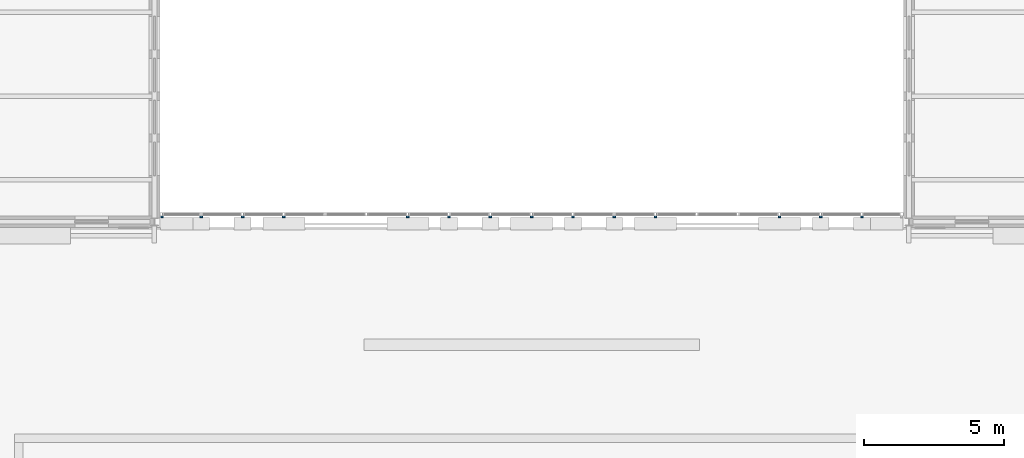
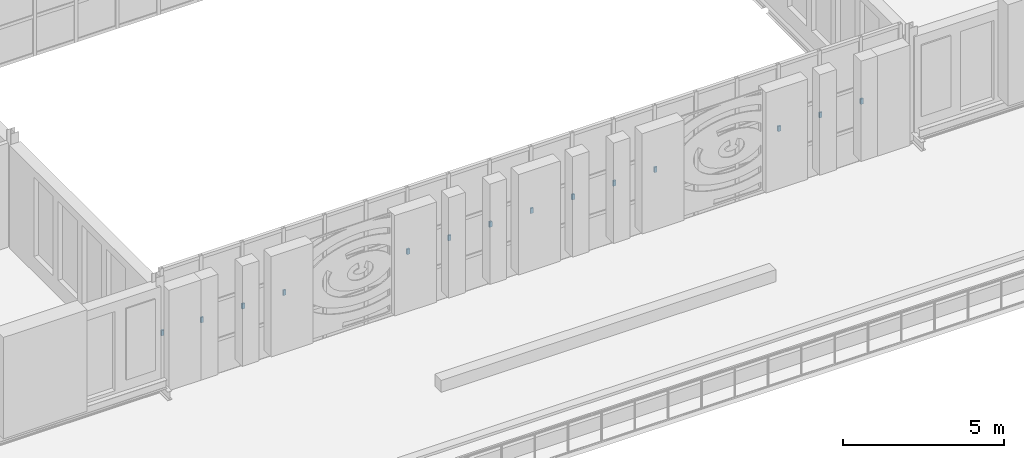
# One storey, part 101 of 134: 14 discrete accessories.
"""IFC4 building model written with IfcOpenShell, lengths in metres."""

from ifc_helpers import new_model, si_unit, direction, frame, origin, origin_2d, place, context, subcontext, project, spatial, rectangle, extrude, material, type_object, element, save


model = new_model("IFC4")

# Units and contexts
model_context = context("Model", 3, precision=1e-05, world=origin(), true_north=direction((0.0, 1.0)))
body_context = subcontext(model_context, "Body", "Model", "MODEL_VIEW")
ifc_project = project(units=[si_unit("LENGTHUNIT", "METRE"), si_unit("AREAUNIT", "SQUARE_METRE"), si_unit("VOLUMEUNIT", "CUBIC_METRE"), si_unit("PLANEANGLEUNIT", "RADIAN"), si_unit("MASSUNIT", "GRAM", prefix="KILO")], contexts=[model_context])

# Site, building, storey
site_placement = place(None, origin())
site = spatial("IfcSite", under=ifc_project, at=site_placement, CompositionType="ELEMENT")
building_placement = place(site_placement, origin())
building = spatial("IfcBuilding", under=site, at=building_placement, Name="Golden Quay Civic Hall", CompositionType="ELEMENT")
storey_placement = place(building_placement, frame((0.0, 0.0, 5.39990234375)))
storey = spatial("IfcBuildingStorey", under=building, at=storey_placement, Name="L01", CompositionType="ELEMENT", Elevation=5.39990234375)

# Discrete accessories
ifc_material = material(Name="Steel S355", Category="steel")
discrete_accessory_type = type_object("IfcDiscreteAccessoryType", Name="Hall screen bracket 100 x 200", PredefinedType="BRACKET", material=ifc_material)
discrete_accessory_placement = place(storey_placement, frame((72.264892578125, 0.179931640625, 1.80029296875), z_axis=(0.0, 0.0, 1.0), x_axis=(1.0, 0.0, 0.0)))
element("IfcDiscreteAccessory", 1, at=discrete_accessory_placement, inside=storey, type_object=discrete_accessory_type, Name="Hall screen bracket 0", PredefinedType="BRACKET", context=body_context, shape_type="SweptSolid", body=[
    extrude(rectangle(XDim=0.090087890625, YDim=0.06005859375, at=origin_2d()), origin(), (0.0, 0.0, 1.0), 0.199951171875),
])
for number, where, z_axis, x_axis, name in (
    (2, (76.633056640625, 0.179931640625, 1.80029296875), (0.0, 0.0, 1.0), (1.0, 0.0, 0.0), "Hall screen bracket 3"),
    (3, (81.06689453125, 0.179931640625, 1.80029296875), (0.0, 0.0, 1.0), (1.0, 0.0, 0.0), "Hall screen bracket 6"),
    (4, (85.5, 0.179931640625, 1.80029296875), (0.0, 0.0, 1.0), (1.0, 0.0, 0.0), "Hall screen bracket 9"),
    (5, (89.93310546875, 0.179931640625, 1.80029296875), (0.0, 0.0, 1.0), (1.0, 0.0, 0.0), "Hall screen bracket 12"),
    (6, (94.366943359375, 0.179931640625, 1.80029296875), (0.0, 0.0, 1.0), (1.0, 0.0, 0.0), "Hall screen bracket 15"),
    (7, (73.677978515625, 0.179931640625, 1.80029296875), (0.0, 0.0, 1.0), (1.0, 0.0, 0.0), "Hall screen bracket 1"),
    (8, (75.156005859375, 0.179931640625, 1.80029296875), (0.0, 0.0, 1.0), (1.0, 0.0, 0.0), "Hall screen bracket 2"),
    (9, (82.5439453125, 0.179931640625, 1.80029296875), (0.0, 0.0, 1.0), (1.0, 0.0, 0.0), "Hall screen bracket 7"),
    (10, (84.02197265625, 0.179931640625, 1.80029296875), (0.0, 0.0, 1.0), (1.0, 0.0, 0.0), "Hall screen bracket 8"),
    (11, (86.97802734375, 0.179931640625, 1.80029296875), (0.0, 0.0, 1.0), (1.0, 0.0, 0.0), "Hall screen bracket 10"),
    (12, (88.4560546875, 0.179931640625, 1.80029296875), (0.0, 0.0, 1.0), (1.0, 0.0, 0.0), "Hall screen bracket 11"),
    (13, (95.843994140625, 0.179931640625, 1.80029296875), (0.0, 0.0, 1.0), (1.0, 0.0, 0.0), "Hall screen bracket 16"),
    (14, (97.322021484375, 0.179931640625, 1.80029296875), (0.0, 0.0, 1.0), (1.0, 0.0, 0.0), "Hall screen bracket 17"),
):
    element("IfcDiscreteAccessory", number, at=place(storey_placement, frame(where, z_axis=z_axis, x_axis=x_axis)), inside=storey, type_object=discrete_accessory_type, Name=name, PredefinedType="BRACKET", context=body_context, shape_type="SweptSolid", body=[
        extrude(rectangle(XDim=0.10009765625, YDim=0.06005859375, at=origin_2d()), origin(), (0.0, 0.0, 1.0), 0.199951171875),
    ])

save(model, "model.ifc")
